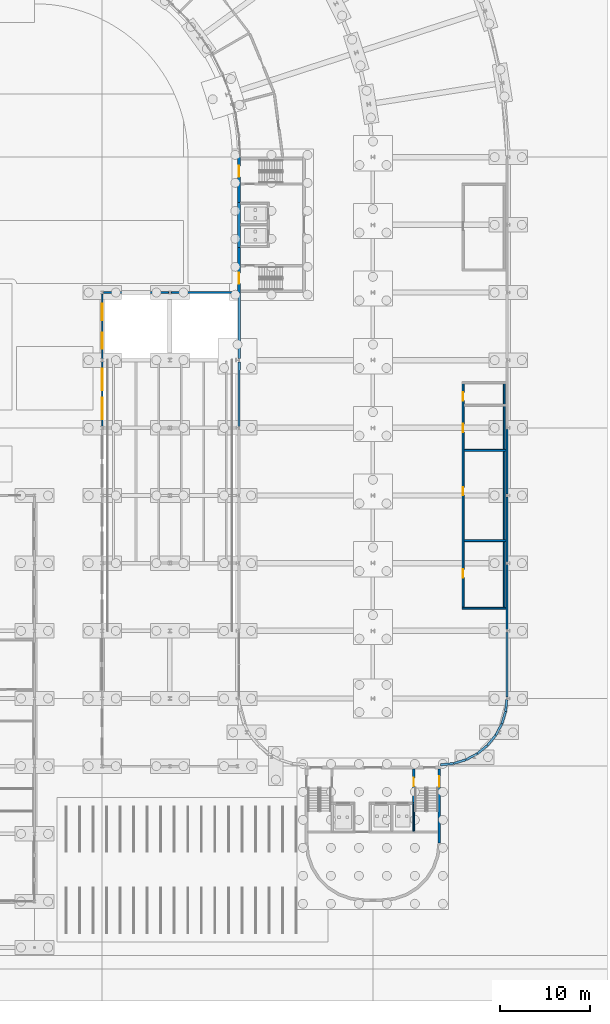
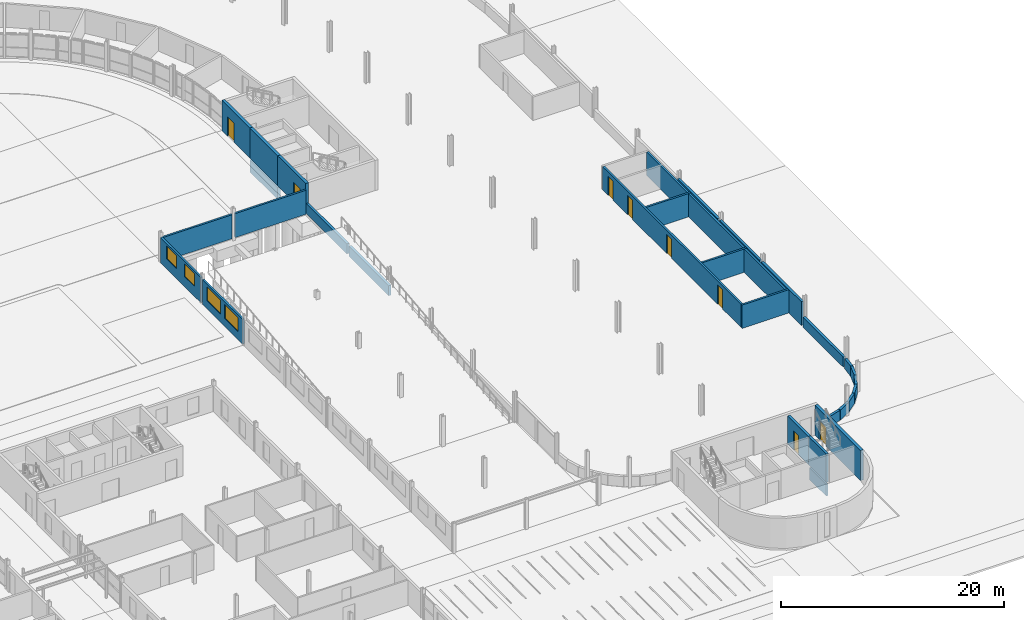
# One storey, part 90 of 130: 31 walls, 8 doors, 4 windows, 12 openings.
"""IFC4 building model written with IfcOpenShell, lengths in metres."""

from ifc_helpers import new_model, si_unit, direction, frame, frame_2d, origin, place, context, subcontext, project, spatial, rectangle, extrude, material, layer, layer_set, type_object, element, fill, save


model = new_model("IFC4")

# Units and contexts
model_context = context("Model", 3, precision=1e-05, world=origin(), true_north=direction((0.0, 1.0)))
body_context = subcontext(model_context, "Body", "Model", "MODEL_VIEW")
ifc_project = project(units=[si_unit("LENGTHUNIT", "METRE"), si_unit("AREAUNIT", "SQUARE_METRE"), si_unit("VOLUMEUNIT", "CUBIC_METRE"), si_unit("PLANEANGLEUNIT", "RADIAN"), si_unit("MASSUNIT", "GRAM", prefix="KILO")], contexts=[model_context])

# Site, building, storey
site_placement = place(None, origin())
site = spatial("IfcSite", under=ifc_project, at=site_placement, CompositionType="ELEMENT")
building_placement = place(site_placement, origin())
building = spatial("IfcBuilding", under=site, at=building_placement, Name="Parallax Yard Mobility Hub", CompositionType="ELEMENT")
storey_placement = place(building_placement, origin())
storey = spatial("IfcBuildingStorey", under=building, at=storey_placement, Name="L00", CompositionType="ELEMENT", Elevation=0.0)

# Wall, opening, door
ifc_material_1 = material(Name="Concrete fc' 35 MPa", Category="concrete")
ifc_layer_1 = layer(ifc_material_1, 0.300048828125)
ifc_layer_set_1 = layer_set([ifc_layer_1], Name="Concrete fc' 35 MPa core wall 300")
wall_type_1 = type_object("IfcWallType", Name="Concrete fc' 35 MPa core wall 300", PredefinedType="SHEAR", material=ifc_layer_set_1)
wall_1_placement = place(storey_placement, frame((195.14990234375, 75.0, 0.0), z_axis=(0.0, 0.0, 1.0), x_axis=(0.0, 1.0, 0.0)))
wall_1 = element("IfcWall", 1, at=wall_1_placement, inside=storey, type_object=wall_type_1, Name="Core C-E back wall part 1 level L00", PredefinedType="SHEAR", context=body_context, shape_type="SweptSolid", body=[
    extrude(rectangle(XDim=5.0, YDim=0.300048828125, at=frame_2d((2.5, 0.0))), origin(), (0.0, 0.0, 1.0), 3.300048828125),
])
opening_1_placement = place(wall_1_placement, frame((0.97509765625, 0.0, 0.0)))
opening_1 = element("IfcOpeningElement", 2, at=opening_1_placement, cuts=wall_1, Name="Opening L00-D730", PredefinedType="OPENING", context=body_context, shape_type="SweptSolid", body=[
    extrude(rectangle(XDim=1.199951171875, YDim=2.10009765625, at=frame_2d((0.60009765625, 1.050048828125))), frame((0.0, 0.16015625, 0.0), z_axis=(0.0, -1.0, 0.0), x_axis=(1.0, 0.0, 0.0)), (0.0, 0.0, 1.0), 0.320068359375),
])
ifc_material_2 = material(Name="Hollow metal steel door and frame", Category="steel")
door_type_1 = type_object("IfcDoorType", Name="Core door 1200 x 2100 FD90", OperationType="NOTDEFINED", PredefinedType="DOOR", material=ifc_material_2)
door_1_placement = place(opening_1_placement, origin())
door_1 = element("IfcDoor", 3, at=door_1_placement, inside=storey, type_object=door_type_1, Name="Stair exit door L00-D730, core C-E level L00", OperationType="SINGLE_SWING_LEFT", OverallHeight=2.10009765625, OverallWidth=1.199951171875, PredefinedType="DOOR", context=body_context, shape_type="SweptSolid", body=[
    extrude(rectangle(XDim=1.199951171875, YDim=2.10009765625, at=frame_2d((0.60009765625, 1.050048828125))), frame((0.0, 0.02490234375, 0.0), z_axis=(0.0, -1.0, 0.0), x_axis=(1.0, 0.0, 0.0)), (0.0, 0.0, 1.0), 0.050048828125),
])
fill(opening_1, door_1)

# Wall
wall_2_placement = place(storey_placement, frame((195.14990234375, 80.0, 0.0), z_axis=(0.0, 0.0, 1.0), x_axis=(0.0, 1.0, 0.0)))
element("IfcWall", 4, at=wall_2_placement, inside=storey, type_object=wall_type_1, Name="Core C-E back wall part 2 level L00", PredefinedType="SHEAR", context=body_context, shape_type="SweptSolid", body=[
    extrude(rectangle(XDim=5.0, YDim=0.300048828125, at=frame_2d((2.5, 0.0))), origin(), (0.0, 0.0, 1.0), 3.300048828125),
])

# Wall, opening, door
wall_3_placement = place(storey_placement, frame((195.14990234375, 85.0, 0.0), z_axis=(0.0, 0.0, 1.0), x_axis=(0.0, 1.0, 0.0)))
wall_3 = element("IfcWall", 5, at=wall_3_placement, inside=storey, type_object=wall_type_1, Name="Core C-E back wall part 3 level L00", PredefinedType="SHEAR", context=body_context, shape_type="SweptSolid", body=[
    extrude(rectangle(XDim=5.0, YDim=0.300048828125, at=frame_2d((2.5, 0.0))), origin(), (0.0, 0.0, 1.0), 3.300048828125),
])
opening_2_placement = place(wall_3_placement, frame((2.824951171875, 0.0, 0.0)))
opening_2 = element("IfcOpeningElement", 6, at=opening_2_placement, cuts=wall_3, Name="Opening L00-D731", PredefinedType="OPENING", context=body_context, shape_type="SweptSolid", body=[
    extrude(rectangle(XDim=1.199951171875, YDim=2.10009765625, at=frame_2d((0.60009765625, 1.050048828125))), frame((0.0, 0.16015625, 0.0), z_axis=(0.0, -1.0, 0.0), x_axis=(1.0, 0.0, 0.0)), (0.0, 0.0, 1.0), 0.320068359375),
])
door_2_placement = place(opening_2_placement, origin())
door_2 = element("IfcDoor", 7, at=door_2_placement, inside=storey, type_object=door_type_1, Name="Stair exit door L00-D731, core C-E level L00", OperationType="SINGLE_SWING_RIGHT", OverallHeight=2.10009765625, OverallWidth=1.199951171875, PredefinedType="DOOR", context=body_context, shape_type="SweptSolid", body=[
    extrude(rectangle(XDim=1.199951171875, YDim=2.10009765625, at=frame_2d((0.60009765625, 1.050048828125))), frame((0.0, 0.02490234375, 0.0), z_axis=(0.0, -1.0, 0.0), x_axis=(1.0, 0.0, 0.0)), (0.0, 0.0, 1.0), 0.050048828125),
])
fill(opening_2, door_2)

# Wall
wall_4_placement = place(storey_placement, frame((195.14990234375, 80.0, -1.5), z_axis=(0.0, 0.0, 1.0), x_axis=(0.0, 1.0, 0.0)))
element("IfcWall", 8, at=wall_4_placement, inside=storey, type_object=wall_type_1, Name="Core C-E lift pit wall back (shaft group 1)", PredefinedType="SHEAR", context=body_context, shape_type="SweptSolid", body=[
    extrude(rectangle(XDim=5.0, YDim=0.300048828125, at=frame_2d((2.5, 0.0))), origin(), (0.0, 0.0, 1.0), 1.300048828125),
])

# Wall, opening, door
wall_5_placement = place(storey_placement, frame((217.35009765625, 22.199951171875, 0.0), z_axis=(0.0, 0.0, 1.0), x_axis=(0.0, -1.0, 0.0)))
wall_5 = element("IfcWall", 9, at=wall_5_placement, inside=storey, type_object=wall_type_1, Name="Core C-S west-side end wall level L00", PredefinedType="SHEAR", context=body_context, shape_type="SweptSolid", body=[
    extrude(rectangle(XDim=8.199951171875, YDim=0.300048828125, at=frame_2d((4.10009765625, 0.0))), origin(), (0.0, 0.0, 1.0), 3.300048828125),
])
opening_3_placement = place(wall_5_placement, frame((0.800048828125, 0.0, 0.0)))
opening_3 = element("IfcOpeningElement", 10, at=opening_3_placement, cuts=wall_5, Name="Opening L00-D741", PredefinedType="OPENING", context=body_context, shape_type="SweptSolid", body=[
    extrude(rectangle(XDim=1.199951171875, YDim=2.10009765625, at=frame_2d((0.60009765625, 1.050048828125))), frame((0.0, 0.16015625, 0.0), z_axis=(0.0, -1.0, 0.0), x_axis=(1.0, 0.0, 0.0)), (0.0, 0.0, 1.0), 0.320068359375),
])
door_3_placement = place(opening_3_placement, origin())
door_3 = element("IfcDoor", 11, at=door_3_placement, inside=storey, type_object=door_type_1, Name="Stair exit door L00-D741, core C-S level L00", OperationType="SINGLE_SWING_RIGHT", OverallHeight=2.10009765625, OverallWidth=1.199951171875, PredefinedType="DOOR", context=body_context, shape_type="SweptSolid", body=[
    extrude(rectangle(XDim=1.199951171875, YDim=2.10009765625, at=frame_2d((0.60009765625, 1.050048828125))), frame((0.0, 0.02490234375, 0.0), z_axis=(0.0, -1.0, 0.0), x_axis=(1.0, 0.0, 0.0)), (0.0, 0.0, 1.0), 0.050048828125),
])
fill(opening_3, door_3)

# Wall
ifc_layer_2 = layer(ifc_material_1, 0.199951171875)
ifc_layer_set_2 = layer_set([ifc_layer_2], Name="Concrete fc' 35 MPa internal core wall 200")
wall_type_2 = type_object("IfcWallType", Name="Concrete fc' 35 MPa internal core wall 200", PredefinedType="STANDARD", material=ifc_layer_set_2)
wall_6_placement = place(storey_placement, frame((214.5, 18.300048828125, -1.5), z_axis=(0.0, 0.0, 1.0), x_axis=(0.0, -1.0, 0.0)))
element("IfcWall", 12, at=wall_6_placement, inside=storey, type_object=wall_type_2, Name="Core C-S lift pit wall side 1 (shaft group 1)", PredefinedType="STANDARD", context=body_context, shape_type="SweptSolid", body=[
    extrude(rectangle(XDim=3.0, YDim=0.199951171875, at=frame_2d((1.5, 0.0))), origin(), (0.0, 0.0, 1.0), 1.300048828125),
])

# Wall, opening, door
ifc_layer_3 = layer(ifc_material_1, 0.25)
ifc_layer_set_3 = layer_set([ifc_layer_3], Name="Concrete fc' 35 MPa stair enclosure wall 250")
wall_type_3 = type_object("IfcWallType", Name="Concrete fc' 35 MPa stair enclosure wall 250", PredefinedType="STANDARD", material=ifc_layer_set_3)
wall_7_placement = place(storey_placement, frame((214.52490234375, 22.199951171875, 0.0), z_axis=(0.0, 0.0, 1.0), x_axis=(0.0, -1.0, 0.0)))
wall_7 = element("IfcWall", 13, at=wall_7_placement, inside=storey, type_object=wall_type_3, Name="Core C-S stair 1 partition 1 part 1 level L00", PredefinedType="STANDARD", context=body_context, shape_type="SweptSolid", body=[
    extrude(rectangle(XDim=3.699951171875, YDim=0.25, at=frame_2d((1.85009765625, 0.0))), origin(), (0.0, 0.0, 1.0), 3.10009765625),
])
opening_4_placement = place(wall_7_placement, frame((1.0, 0.0, 0.0)))
opening_4 = element("IfcOpeningElement", 14, at=opening_4_placement, cuts=wall_7, Name="Opening L00-D735", PredefinedType="OPENING", context=body_context, shape_type="SweptSolid", body=[
    extrude(rectangle(XDim=0.89990234375, YDim=2.10009765625, at=frame_2d((0.449951171875, 1.050048828125))), frame((0.0, 0.135009765625, 0.0), z_axis=(0.0, -1.0, 0.0), x_axis=(1.0, 0.0, 0.0)), (0.0, 0.0, 1.0), 0.27001953125),
])
door_type_2 = type_object("IfcDoorType", Name="Core door 900 x 2100 FD90", OperationType="NOTDEFINED", PredefinedType="DOOR", material=ifc_material_2)
door_4_placement = place(opening_4_placement, origin())
door_4 = element("IfcDoor", 15, at=door_4_placement, inside=storey, type_object=door_type_2, Name="Stair lobby door L00-D735, core C-S level L00", OperationType="SINGLE_SWING_LEFT", OverallHeight=2.10009765625, OverallWidth=0.89990234375, PredefinedType="DOOR", context=body_context, shape_type="SweptSolid", body=[
    extrude(rectangle(XDim=0.89990234375, YDim=2.10009765625, at=frame_2d((0.449951171875, 1.050048828125))), frame((0.0, 0.02490234375, 0.0), z_axis=(0.0, -1.0, 0.0), x_axis=(1.0, 0.0, 0.0)), (0.0, 0.0, 1.0), 0.050048828125),
])
fill(opening_4, door_4)

# Walls
wall_8_placement = place(storey_placement, frame((214.52490234375, 18.5, 0.0), z_axis=(0.0, 0.0, 1.0), x_axis=(0.0, -1.0, 0.0)))
element("IfcWall", 16, at=wall_8_placement, inside=storey, type_object=wall_type_3, Name="Core C-S stair 1 partition 2 part 2 level L00", PredefinedType="STANDARD", context=body_context, shape_type="SweptSolid", body=[
    extrude(rectangle(XDim=3.199951171875, YDim=0.25, at=frame_2d((1.60009765625, 0.0))), origin(), (0.0, 0.0, 1.0), 3.10009765625),
])
ifc_layer_4 = layer(ifc_material_1, 0.25)
ifc_layer_set_4 = layer_set([ifc_layer_4], Name="Deck-edge barrier wall, Concrete fc' 35 MPa precast, 250")
wall_type_4 = type_object("IfcWallType", Name="Deck-edge barrier wall, Concrete fc' 35 MPa precast, 250", PredefinedType="SOLIDWALL", material=ifc_layer_set_4)
wall_9_placement = place(storey_placement, frame((195.174072265625, 74.99462890625, 0.0), z_axis=(0.0, 0.0, 1.0), x_axis=(0.0, -1.0, 0.0)))
element("IfcWall", 17, at=wall_9_placement, inside=storey, type_object=wall_type_4, Name="Deck-edge barrier wall bay 24 level L00", PredefinedType="SOLIDWALL", context=body_context, shape_type="SweptSolid", body=[
    extrude(rectangle(XDim=7.298583984375, YDim=0.25, at=frame_2d((3.6494140625, 0.0))), origin(), (0.0, 0.0, 1.0), 1.10009765625),
])
wall_10_placement = place(storey_placement, frame((195.174072265625, 67.303955078125, 0.0), z_axis=(0.0, 0.0, 1.0), x_axis=(-0.003550435085, -0.999993697185, 0.0)))
element("IfcWall", 18, at=wall_10_placement, inside=storey, type_object=wall_type_4, Name="Deck-edge barrier wall bay 25 level L00", PredefinedType="SOLIDWALL", context=body_context, shape_type="SweptSolid", body=[
    extrude(rectangle(XDim=7.1513671875, YDim=0.25, at=frame_2d((3.57568359375, 0.0))), origin(), (0.0, 0.0, 1.0), 1.10009765625),
])
wall_11_placement = place(storey_placement, frame((217.490478515625, 22.651123046875, 0.0), z_axis=(0.0, 0.0, 1.0), x_axis=(0.995120760319, 0.098664443357, 0.0)))
element("IfcWall", 19, at=wall_11_placement, inside=storey, type_object=wall_type_4, Name="Deck-edge barrier wall bay 32-1 level L00", PredefinedType="SOLIDWALL", context=body_context, shape_type="SweptSolid", body=[
    extrude(rectangle(XDim=1.440185546875, YDim=0.25, at=frame_2d((0.72021484375, 0.0))), origin(), (0.0, 0.0, 1.0), 1.10009765625),
])
for number, where, z_axis, x_axis, name in (
    (20, (218.95166015625, 22.798828125, 0.0), (0.0, 0.0, 1.0), (0.956757668094, 0.29088617111, 0.0), "Deck-edge barrier wall bay 32-2 level L00"),
    (21, (220.328125, 23.22021484375, 0.0), (0.0, 0.0, 1.0), (0.881657410412, 0.471890040862, 0.0), "Deck-edge barrier wall bay 32-3 level L00"),
    (22, (221.595947265625, 23.90185546875, 0.0), (0.0, 0.0, 1.0), (0.772768687577, 0.634687762211, 0.0), "Deck-edge barrier wall bay 32-4 level L00"),
    (23, (222.70654296875, 24.817626953125, 0.0), (0.0, 0.0, 1.0), (0.634207883179, 0.773162570817, 0.0), "Deck-edge barrier wall bay 32-5 level L00"),
):
    element("IfcWall", number, at=place(storey_placement, frame(where, z_axis=z_axis, x_axis=x_axis)), inside=storey, type_object=wall_type_4, Name=name, PredefinedType="SOLIDWALL", context=body_context, shape_type="SweptSolid", body=[
        extrude(rectangle(XDim=1.410888671875, YDim=0.25, at=frame_2d((0.70556640625, 0.0))), origin(), (0.0, 0.0, 1.0), 1.10009765625),
    ])
wall_12_placement = place(storey_placement, frame((223.6171875, 25.932373046875, 0.0), z_axis=(0.0, 0.0, 1.0), x_axis=(0.471270543536, 0.88198870446, 0.0)))
element("IfcWall", 24, at=wall_12_placement, inside=storey, type_object=wall_type_4, Name="Deck-edge barrier wall bay 32-6 level L00", PredefinedType="SOLIDWALL", context=body_context, shape_type="SweptSolid", body=[
    extrude(rectangle(XDim=1.4111328125, YDim=0.25, at=frame_2d((0.70556640625, 0.0))), origin(), (0.0, 0.0, 1.0), 1.10009765625),
])
wall_13_placement = place(storey_placement, frame((224.293212890625, 27.203369140625, 0.0), z_axis=(0.0, 0.0, 1.0), x_axis=(0.289997790591, 0.957027314893, 0.0)))
element("IfcWall", 25, at=wall_13_placement, inside=storey, type_object=wall_type_4, Name="Deck-edge barrier wall bay 32-7 level L00", PredefinedType="SOLIDWALL", context=body_context, shape_type="SweptSolid", body=[
    extrude(rectangle(XDim=1.410888671875, YDim=0.25, at=frame_2d((0.70556640625, 0.0))), origin(), (0.0, 0.0, 1.0), 1.10009765625),
])
wall_14_placement = place(storey_placement, frame((224.7080078125, 28.581787109375, 0.0), z_axis=(0.0, 0.0, 1.0), x_axis=(0.098150270894, 0.995171605465, 0.0)))
element("IfcWall", 26, at=wall_14_placement, inside=storey, type_object=wall_type_4, Name="Deck-edge barrier wall bay 32-8 level L00", PredefinedType="SOLIDWALL", context=body_context, shape_type="SweptSolid", body=[
    extrude(rectangle(XDim=1.285888671875, YDim=0.25, at=frame_2d((0.64306640625, 0.0))), origin(), (0.0, 0.0, 1.0), 1.10009765625),
])
wall_15_placement = place(storey_placement, frame((224.848388671875, 30.154052734375, 0.0), z_axis=(0.0, 0.0, 1.0), x_axis=(0.000407276643, 0.999999917063, 0.0)))
element("IfcWall", 27, at=wall_15_placement, inside=storey, type_object=wall_type_4, Name="Deck-edge barrier wall bay 33 level L00", PredefinedType="SOLIDWALL", context=body_context, shape_type="SweptSolid", body=[
    extrude(rectangle(XDim=7.193359375, YDim=0.25, at=frame_2d((3.5966796875, 0.0))), origin(), (0.0, 0.0, 1.0), 1.10009765625),
])
ifc_material_3 = material(Name="Fire-rated plasterboard partition, two layers each side")
ifc_layer_5 = layer(ifc_material_3, 0.199951171875)
ifc_layer_set_5 = layer_set([ifc_layer_5], Name="Fire-rated partition 200 mm")
wall_type_5 = type_object("IfcWallType", Name="Fire-rated partition 200 mm", PredefinedType="PARTITIONING", material=ifc_layer_set_5)
wall_16_placement = place(storey_placement, frame((219.89990234375, 40.0, 0.0), z_axis=(0.0, 0.0, 1.0), x_axis=(1.0, 0.0, 0.0)))
element("IfcWall", 28, at=wall_16_placement, inside=storey, type_object=wall_type_5, Name="Partition 30 level L00", PredefinedType="PARTITIONING", context=body_context, shape_type="SweptSolid", body=[
    extrude(rectangle(XDim=4.826416015625, YDim=0.199951171875, at=frame_2d((2.4130859375, 0.0))), origin(), (0.0, 0.0, 1.0), 2.55810546875),
])
for number, where, z_axis, x_axis, name in (
    (29, (220.10009765625, 47.5, 0.0), (0.0, 0.0, 1.0), (1.0, 0.0, 0.0), "Partition 34 level L00"),
    (30, (220.10009765625, 57.5, 0.0), (0.0, 0.0, 1.0), (1.0, 0.0, 0.0), "Partition 36 level L00"),
):
    element("IfcWall", number, at=place(storey_placement, frame(where, z_axis=z_axis, x_axis=x_axis)), inside=storey, type_object=wall_type_5, Name=name, PredefinedType="PARTITIONING", context=body_context, shape_type="SweptSolid", body=[
        extrude(rectangle(XDim=4.626220703125, YDim=0.199951171875, at=frame_2d((2.31298828125, 0.0))), origin(), (0.0, 0.0, 1.0), 2.55810546875),
    ])

# Wall, openings, doors
wall_17_placement = place(storey_placement, frame((220.0, 40.10009765625, 0.0), z_axis=(0.0, 0.0, 1.0), x_axis=(0.0, 1.0, 0.0)))
wall_17 = element("IfcWall", 31, at=wall_17_placement, inside=storey, type_object=wall_type_5, Name="Partition 114 level L00", PredefinedType="PARTITIONING", context=body_context, shape_type="SweptSolid", body=[
    extrude(rectangle(XDim=24.7998046875, YDim=0.199951171875, at=frame_2d((12.39990234375, 0.0))), origin(), (0.0, 0.0, 1.0), 2.548095703125),
])
opening_5_placement = place(wall_17_placement, frame((3.300048828125, 0.0, 0.0)))
opening_5 = element("IfcOpeningElement", 32, at=opening_5_placement, cuts=wall_17, Name="Opening L00-D225", PredefinedType="OPENING", context=body_context, shape_type="SweptSolid", body=[
    extrude(rectangle(XDim=0.89990234375, YDim=2.10009765625, at=frame_2d((0.449951171875, 1.050048828125))), frame((0.0, 0.10986328125, 0.0), z_axis=(0.0, -1.0, 0.0), x_axis=(1.0, 0.0, 0.0)), (0.0, 0.0, 1.0), 0.219970703125),
])
opening_6_placement = place(wall_17_placement, frame((12.42529296875, 0.0, 0.0)))
opening_6 = element("IfcOpeningElement", 33, at=opening_6_placement, cuts=wall_17, Name="Opening L00-D229", PredefinedType="OPENING", context=body_context, shape_type="SweptSolid", body=[
    extrude(rectangle(XDim=0.89990234375, YDim=2.10009765625, at=frame_2d((0.449951171875, 1.050048828125))), frame((0.0, 0.10986328125, 0.0), z_axis=(0.0, -1.0, 0.0), x_axis=(1.0, 0.0, 0.0)), (0.0, 0.0, 1.0), 0.219970703125),
])
opening_7_placement = place(wall_17_placement, frame((19.42529296875, 0.0, 0.0)))
opening_7 = element("IfcOpeningElement", 34, at=opening_7_placement, cuts=wall_17, Name="Opening L00-D230", PredefinedType="OPENING", context=body_context, shape_type="SweptSolid", body=[
    extrude(rectangle(XDim=0.89990234375, YDim=2.10009765625, at=frame_2d((0.449951171875, 1.050048828125))), frame((0.0, 0.10986328125, 0.0), z_axis=(0.0, -1.0, 0.0), x_axis=(1.0, 0.0, 0.0)), (0.0, 0.0, 1.0), 0.219970703125),
])
opening_8_placement = place(wall_17_placement, frame((22.92529296875, 0.0, 0.0)))
opening_8 = element("IfcOpeningElement", 35, at=opening_8_placement, cuts=wall_17, Name="Opening L00-D231", PredefinedType="OPENING", context=body_context, shape_type="SweptSolid", body=[
    extrude(rectangle(XDim=0.89990234375, YDim=2.10009765625, at=frame_2d((0.449951171875, 1.050048828125))), frame((0.0, 0.10986328125, 0.0), z_axis=(0.0, -1.0, 0.0), x_axis=(1.0, 0.0, 0.0)), (0.0, 0.0, 1.0), 0.219970703125),
])
ifc_material_4 = material(Name="Hollow metal fire door leaf with intumescent seals")
door_type_3 = type_object("IfcDoorType", Name="Fire door 900 mm FD60", OperationType="NOTDEFINED", PredefinedType="DOOR", material=ifc_material_4)
door_5_placement = place(opening_5_placement, origin())
door_5 = element("IfcDoor", 36, at=door_5_placement, inside=storey, type_object=door_type_3, Name="Door L00-D225 Men's WC", OperationType="SINGLE_SWING_LEFT", OverallHeight=2.10009765625, OverallWidth=0.89990234375, PredefinedType="DOOR", context=body_context, shape_type="SweptSolid", body=[
    extrude(rectangle(XDim=0.89990234375, YDim=2.10009765625, at=frame_2d((0.449951171875, 1.050048828125))), frame((0.0, 0.02490234375, 0.0), z_axis=(0.0, -1.0, 0.0), x_axis=(1.0, 0.0, 0.0)), (0.0, 0.0, 1.0), 0.050048828125),
])
fill(opening_5, door_5)
door_6_placement = place(opening_6_placement, origin())
door_6 = element("IfcDoor", 37, at=door_6_placement, inside=storey, type_object=door_type_3, Name="Door L00-D229 Women's WC", OperationType="SINGLE_SWING_RIGHT", OverallHeight=2.10009765625, OverallWidth=0.89990234375, PredefinedType="DOOR", context=body_context, shape_type="SweptSolid", body=[
    extrude(rectangle(XDim=0.89990234375, YDim=2.10009765625, at=frame_2d((0.449951171875, 1.050048828125))), frame((0.0, 0.02490234375, 0.0), z_axis=(0.0, -1.0, 0.0), x_axis=(1.0, 0.0, 0.0)), (0.0, 0.0, 1.0), 0.050048828125),
])
fill(opening_6, door_6)
door_7_placement = place(opening_7_placement, origin())
door_7 = element("IfcDoor", 38, at=door_7_placement, inside=storey, type_object=door_type_3, Name="Door L00-D230 Accessible WC", OperationType="SINGLE_SWING_RIGHT", OverallHeight=2.10009765625, OverallWidth=0.89990234375, PredefinedType="DOOR", context=body_context, shape_type="SweptSolid", body=[
    extrude(rectangle(XDim=0.89990234375, YDim=2.10009765625, at=frame_2d((0.449951171875, 1.050048828125))), frame((0.0, 0.02490234375, 0.0), z_axis=(0.0, -1.0, 0.0), x_axis=(1.0, 0.0, 0.0)), (0.0, 0.0, 1.0), 0.050048828125),
])
fill(opening_7, door_7)
door_8_placement = place(opening_8_placement, origin())
door_8 = element("IfcDoor", 39, at=door_8_placement, inside=storey, type_object=door_type_3, Name="Door L00-D231 Cleaners Store", OperationType="SINGLE_SWING_RIGHT", OverallHeight=2.10009765625, OverallWidth=0.89990234375, PredefinedType="DOOR", context=body_context, shape_type="SweptSolid", body=[
    extrude(rectangle(XDim=0.89990234375, YDim=2.10009765625, at=frame_2d((0.449951171875, 1.050048828125))), frame((0.0, 0.02490234375, 0.0), z_axis=(0.0, -1.0, 0.0), x_axis=(1.0, 0.0, 0.0)), (0.0, 0.0, 1.0), 0.050048828125),
])
fill(opening_8, door_8)

# Walls
wall_18_placement = place(storey_placement, frame((224.550048828125, 40.10009765625, 0.0), z_axis=(0.0, 0.0, 1.0), x_axis=(0.0, 1.0, 0.0)))
element("IfcWall", 40, at=wall_18_placement, inside=storey, type_object=wall_type_5, Name="Partition 116 level L00", PredefinedType="PARTITIONING", context=body_context, shape_type="SweptSolid", body=[
    extrude(rectangle(XDim=24.7998046875, YDim=0.199951171875, at=frame_2d((12.39990234375, 0.0))), origin(), (0.0, 0.0, 1.0), 2.548095703125),
])
ifc_layer_6 = layer(ifc_material_1, 0.25)
ifc_layer_set_6 = layer_set([ifc_layer_6], Name="Ground-floor base wall, Concrete fc' 35 MPa precast, 250")
wall_type_6 = type_object("IfcWallType", Name="Ground-floor base wall, Concrete fc' 35 MPa precast, 250", PredefinedType="SOLIDWALL", material=ifc_layer_set_6)
for number, where, z_axis, x_axis, name in (
    (41, (224.851318359375, 37.652587890625, 0.0), (0.0, 0.0, 1.0), (0.0, 1.0, 0.0), "Ground-floor base wall bay 34 level L00"),
    (42, (224.851318359375, 45.152587890625, 0.0), (0.0, 0.0, 1.0), (0.0, 1.0, 0.0), "Ground-floor base wall bay 35 level L00"),
    (43, (224.851318359375, 52.652587890625, 0.0), (0.0, 0.0, 1.0), (0.0, 1.0, 0.0), "Ground-floor base wall bay 36 level L00"),
):
    element("IfcWall", number, at=place(storey_placement, frame(where, z_axis=z_axis, x_axis=x_axis)), inside=storey, type_object=wall_type_6, Name=name, PredefinedType="SOLIDWALL", context=body_context, shape_type="SweptSolid", body=[
        extrude(rectangle(XDim=7.19482421875, YDim=0.25, at=frame_2d((3.597412109375, 0.0))), origin(), (0.0, 0.0, 1.0), 2.60009765625),
    ])

# Wall, openings, windows
ifc_layer_7 = layer(ifc_material_1, 0.199951171875)
ifc_layer_set_7 = layer_set([ifc_layer_7], Name="Louvre screen wall, Concrete fc' 35 MPa precast, 200")
wall_type_7 = type_object("IfcWallType", Name="Louvre screen wall, Concrete fc' 35 MPa precast, 200", PredefinedType="SOLIDWALL", material=ifc_layer_set_7)
wall_19_placement = place(storey_placement, frame((180.0, 60.153564453125, 0.0), z_axis=(0.0, 0.0, 1.0), x_axis=(0.0, 1.0, 0.0)))
wall_19 = element("IfcWall", 44, at=wall_19_placement, inside=storey, type_object=wall_type_7, Name="Ramp house west wall bay 6 level L00", PredefinedType="SOLIDWALL", context=body_context, shape_type="SweptSolid", body=[
    extrude(rectangle(XDim=7.19287109375, YDim=0.199951171875, at=frame_2d((3.596435546875, 0.0))), origin(), (0.0, 0.0, 1.0), 2.7099609375),
])
opening_9_placement = place(wall_19_placement, frame((0.797607421875, 0.0, 0.89990234375)))
opening_9 = element("IfcOpeningElement", 45, at=opening_9_placement, cuts=wall_19, Name="Opening W1", PredefinedType="OPENING", context=body_context, shape_type="SweptSolid", body=[
    extrude(rectangle(XDim=2.39990234375, YDim=1.5, at=frame_2d((1.199951171875, 0.75))), frame((0.0, 0.10986328125, 0.0), z_axis=(0.0, -1.0, 0.0), x_axis=(1.0, 0.0, 0.0)), (0.0, 0.0, 1.0), 0.219970703125),
])
opening_10_placement = place(wall_19_placement, frame((3.995361328125, 0.0, 0.89990234375)))
opening_10 = element("IfcOpeningElement", 46, at=opening_10_placement, cuts=wall_19, Name="Opening W1", PredefinedType="OPENING", context=body_context, shape_type="SweptSolid", body=[
    extrude(rectangle(XDim=2.39990234375, YDim=1.5, at=frame_2d((1.199951171875, 0.75))), frame((0.0, 0.10986328125, 0.0), z_axis=(0.0, -1.0, 0.0), x_axis=(1.0, 0.0, 0.0)), (0.0, 0.0, 1.0), 0.219970703125),
])
ifc_material_5 = material(Name="Double glazed low-E unit in thermally broken aluminium frame", Category="aluminium")
window_type_1 = type_object("IfcWindowType", Name="Window 2400 x 1500", PartitioningType="DOUBLE_PANEL_VERTICAL", PredefinedType="WINDOW", material=ifc_material_5)
window_1_placement = place(opening_9_placement, origin())
window_1 = element("IfcWindow", 47, at=window_1_placement, inside=storey, type_object=window_type_1, Name="Window W1 level L00", OverallHeight=1.5, OverallWidth=2.39990234375, PartitioningType="DOUBLE_PANEL_VERTICAL", PredefinedType="WINDOW", context=body_context, shape_type="SweptSolid", body=[
    extrude(rectangle(XDim=2.39990234375, YDim=1.5, at=frame_2d((1.199951171875, 0.75))), frame((0.0, 0.030029296875, 0.0), z_axis=(0.0, -1.0, 0.0), x_axis=(1.0, 0.0, 0.0)), (0.0, 0.0, 1.0), 0.06005859375),
])
fill(opening_9, window_1)
window_2_placement = place(opening_10_placement, origin())
window_2 = element("IfcWindow", 48, at=window_2_placement, inside=storey, type_object=window_type_1, Name="Window W1 level L00", OverallHeight=1.5, OverallWidth=2.39990234375, PartitioningType="DOUBLE_PANEL_VERTICAL", PredefinedType="WINDOW", context=body_context, shape_type="SweptSolid", body=[
    extrude(rectangle(XDim=2.39990234375, YDim=1.5, at=frame_2d((1.199951171875, 0.75))), frame((0.0, 0.030029296875, 0.0), z_axis=(0.0, -1.0, 0.0), x_axis=(1.0, 0.0, 0.0)), (0.0, 0.0, 1.0), 0.06005859375),
])
fill(opening_10, window_2)

wall_20_placement = place(storey_placement, frame((180.0, 67.653564453125, 0.0), z_axis=(0.0, 0.0, 1.0), x_axis=(0.0, 1.0, 0.0)))
wall_20 = element("IfcWall", 49, at=wall_20_placement, inside=storey, type_object=wall_type_7, Name="Ramp house west wall bay 7 level L00", PredefinedType="SOLIDWALL", context=body_context, shape_type="SweptSolid", body=[
    extrude(rectangle(XDim=7.19287109375, YDim=0.199951171875, at=frame_2d((3.596435546875, 0.0))), origin(), (0.0, 0.0, 1.0), 2.75390625),
])
opening_11_placement = place(wall_20_placement, frame((1.09765625, 0.0, 1.10009765625)))
opening_11 = element("IfcOpeningElement", 50, at=opening_11_placement, cuts=wall_20, Name="Opening LV2", PredefinedType="OPENING", context=body_context, shape_type="SweptSolid", body=[
    extrude(rectangle(XDim=1.800048828125, YDim=1.39990234375, at=frame_2d((0.89990234375, 0.699951171875))), frame((0.0, 0.10986328125, 0.0), z_axis=(0.0, -1.0, 0.0), x_axis=(1.0, 0.0, 0.0)), (0.0, 0.0, 1.0), 0.219970703125),
])
opening_12_placement = place(wall_20_placement, frame((4.29541015625, 0.0, 1.10009765625)))
opening_12 = element("IfcOpeningElement", 51, at=opening_12_placement, cuts=wall_20, Name="Opening LV2", PredefinedType="OPENING", context=body_context, shape_type="SweptSolid", body=[
    extrude(rectangle(XDim=1.800048828125, YDim=1.39990234375, at=frame_2d((0.89990234375, 0.699951171875))), frame((0.0, 0.10986328125, 0.0), z_axis=(0.0, -1.0, 0.0), x_axis=(1.0, 0.0, 0.0)), (0.0, 0.0, 1.0), 0.219970703125),
])
ifc_material_6 = material(Name="Extruded aluminium storm louvre blades in a powder-coated frame", Category="aluminium")
window_type_2 = type_object("IfcWindowType", Name="Screen louvre 1800 x 1400", PartitioningType="SINGLE_PANEL", PredefinedType="WINDOW", material=ifc_material_6)
window_3_placement = place(opening_11_placement, origin())
window_3 = element("IfcWindow", 52, at=window_3_placement, inside=storey, type_object=window_type_2, Name="LV2 louvre level L00", OverallHeight=1.39990234375, OverallWidth=1.800048828125, PartitioningType="SINGLE_PANEL", PredefinedType="WINDOW", context=body_context, shape_type="SweptSolid", body=[
    extrude(rectangle(XDim=1.800048828125, YDim=1.39990234375, at=frame_2d((0.89990234375, 0.699951171875))), frame((0.0, 0.030029296875, 0.0), z_axis=(0.0, -1.0, 0.0), x_axis=(1.0, 0.0, 0.0)), (0.0, 0.0, 1.0), 0.06005859375),
])
fill(opening_11, window_3)
window_4_placement = place(opening_12_placement, origin())
window_4 = element("IfcWindow", 53, at=window_4_placement, inside=storey, type_object=window_type_2, Name="LV2 louvre level L00", OverallHeight=1.39990234375, OverallWidth=1.800048828125, PartitioningType="SINGLE_PANEL", PredefinedType="WINDOW", context=body_context, shape_type="SweptSolid", body=[
    extrude(rectangle(XDim=1.800048828125, YDim=1.39990234375, at=frame_2d((0.89990234375, 0.699951171875))), frame((0.0, 0.030029296875, 0.0), z_axis=(0.0, -1.0, 0.0), x_axis=(1.0, 0.0, 0.0)), (0.0, 0.0, 1.0), 0.06005859375),
])
fill(opening_12, window_4)

# Walls
wall_21_placement = place(storey_placement, frame((180.153564453125, 75.0, 0.0), z_axis=(0.0, 0.0, 1.0), x_axis=(1.0, 0.0, 0.0)))
element("IfcWall", 54, at=wall_21_placement, inside=storey, type_object=wall_type_7, Name="Ramp house north wall bay 1 level L00", PredefinedType="SOLIDWALL", context=body_context, shape_type="SweptSolid", body=[
    extrude(rectangle(XDim=7.1904296875, YDim=0.199951171875, at=frame_2d((3.59521484375, 0.0))), origin(), (0.0, 0.0, 1.0), 2.626953125),
])
wall_22_placement = place(storey_placement, frame((187.656005859375, 75.0, 0.0), z_axis=(0.0, 0.0, 1.0), x_axis=(1.0, 0.0, 0.0)))
element("IfcWall", 55, at=wall_22_placement, inside=storey, type_object=wall_type_7, Name="Ramp house north wall bay 2 level L00", PredefinedType="SOLIDWALL", context=body_context, shape_type="SweptSolid", body=[
    extrude(rectangle(XDim=7.343994140625, YDim=0.199951171875, at=frame_2d((3.671875, 0.0))), origin(), (0.0, 0.0, 1.0), 2.626953125),
])

save(model, "model.ifc")
